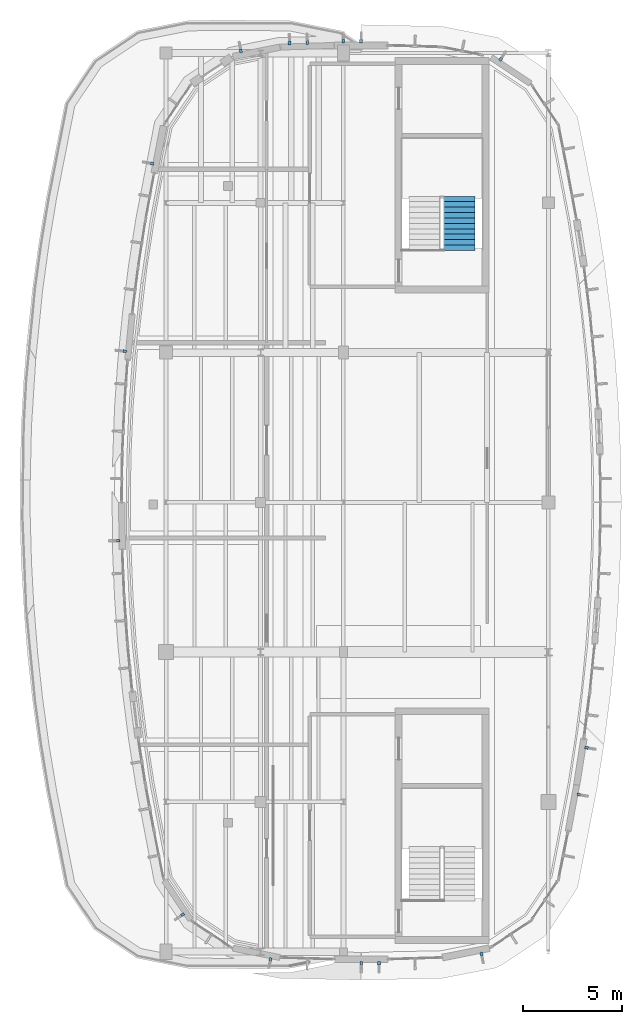
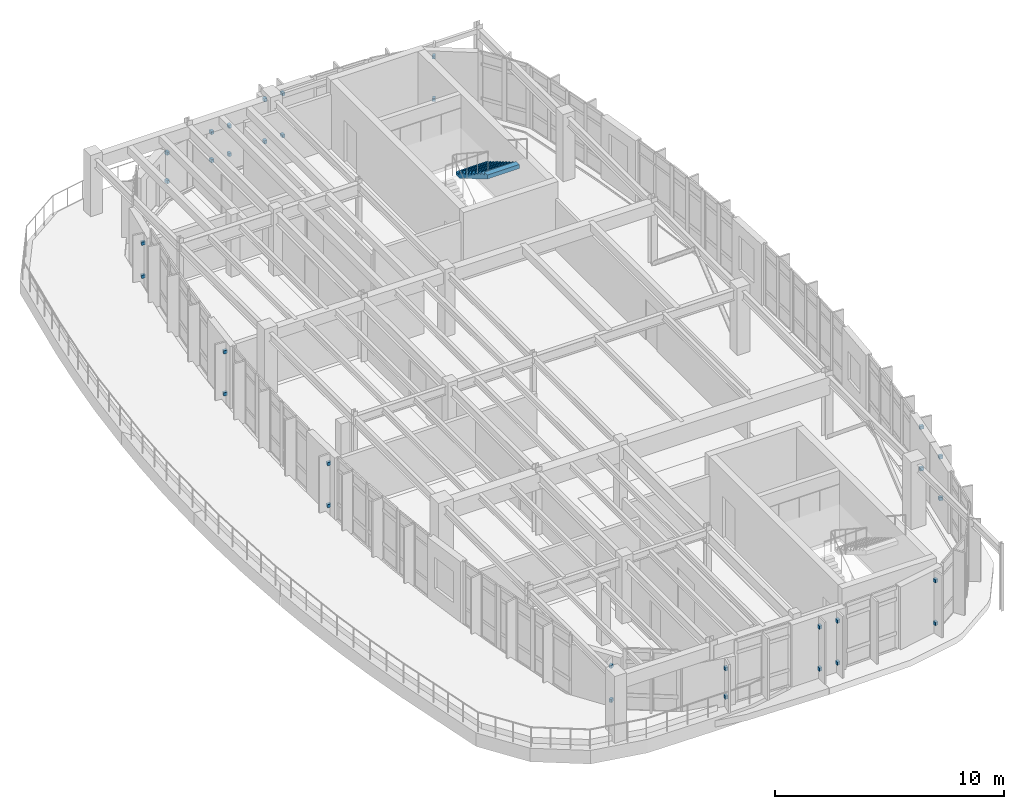
# One storey, part 17 of 20: 32 discrete accessories, 1 stair flight, 1 element without a shape of its own.
"""IFC4 building model written with IfcOpenShell, lengths in metres."""

from ifc_helpers import new_model, si_unit, direction, frame, origin, origin_2d, place, context, subcontext, project, spatial, polyline, rectangle, outline, extrude, material, layer, layer_set, type_object, element, aggregate, save


model = new_model("IFC4")

# Units and contexts
model_context = context("Model", 3, precision=1e-05, world=origin(), true_north=direction((0.0, 1.0)))
body_context = subcontext(model_context, "Body", "Model", "MODEL_VIEW")
ifc_project = project(units=[si_unit("LENGTHUNIT", "METRE"), si_unit("AREAUNIT", "SQUARE_METRE"), si_unit("VOLUMEUNIT", "CUBIC_METRE"), si_unit("PLANEANGLEUNIT", "RADIAN"), si_unit("MASSUNIT", "GRAM", prefix="KILO")], contexts=[model_context])

# Site, building, storey
site_placement = place(None, origin())
site = spatial("IfcSite", under=ifc_project, at=site_placement, CompositionType="ELEMENT")
building_placement = place(site_placement, origin())
building = spatial("IfcBuilding", under=site, at=building_placement, Name="Corveleigh Park Community Centre", CompositionType="ELEMENT")
storey_placement = place(building_placement, frame((0.0, 0.0, 16.199951171875)))
storey = spatial("IfcBuildingStorey", under=building, at=storey_placement, Name="L04", CompositionType="ELEMENT", Elevation=16.199951171875)

# Stair, stair flight
ifc_material_1 = material(Name="Concrete C32/40", Category="concrete")
stair_type = type_object("IfcStairType", Name="STR-HT-1600-360", PredefinedType="USERDEFINED", material=ifc_material_1)
stair_placement = place(storey_placement, origin())
stair = element("IfcStair", 1, at=stair_placement, inside=storey, type_object=stair_type, Name="Protected escape stair ST2 (L04 to L05)", ObjectType="TWO_RETURN_STAIR", PredefinedType="USERDEFINED")
ifc_layer = layer(ifc_material_1, 0.179931640625, Name="Concrete C32/40", Category="concrete")
ifc_layer_set = layer_set([ifc_layer], Name="Concrete C32/40")
stair_flight_type = type_object("IfcStairFlightType", Name="FLG-RC-1600", PredefinedType="STRAIGHT", material=ifc_layer_set)
stair_flight_placement = place(storey_placement, frame((163.8701171875, 96.929931640625, 1.800048828125), z_axis=(0.0, 0.0, 1.0), x_axis=(0.0, -1.0, 0.0)))
stair_flight = element("IfcStairFlight", 2, at=stair_flight_placement, type_object=stair_flight_type, Name="ST2 flight 2", NumberOfRisers=11, NumberOfTreads=10, PredefinedType="STRAIGHT", RiserHeight=0.16364, TreadLength=0.275, context=body_context, shape_type="SweptSolid", body=[
    extrude(outline(polyline([(0.0, 0.0), (0.0, 0.16357421875), (0.27490234375, 0.16357421875), (0.27490234375, 0.327392578125), (0.550048828125, 0.327392578125), (0.550048828125, 0.490966796875), (0.824951171875, 0.490966796875), (0.824951171875, 0.654541015625), (1.10009765625, 0.654541015625), (1.10009765625, 0.818115234375), (1.375, 0.818115234375), (1.375, 0.98193359375), (1.64990234375, 0.98193359375), (1.64990234375, 1.1455078125), (1.925048828125, 1.1455078125), (1.925048828125, 1.30908203125), (2.199951171875, 1.30908203125), (2.199951171875, 1.47265625), (2.47509765625, 1.47265625), (2.47509765625, 1.636474609375), (2.75, 1.636474609375), (2.75, 1.800048828125), (2.75, 1.427001953125), (0.351806640625, 0.0), (0.0, 0.0)])), frame((0.0, 0.800048828125, 0.0), z_axis=(0.0, -1.0, 0.0), x_axis=(1.0, 0.0, 0.0)), (0.0, 0.0, 1.0), 1.60009765625),
])
aggregate(stair, [stair_flight])

# Discrete accessories
ifc_material_2 = material(Name="Stainless steel 316 balustrade", Category="steel")
discrete_accessory_type = type_object("IfcDiscreteAccessoryType", Name="ACC-BRK-STL", PredefinedType="BRACKET", material=ifc_material_2)
for number, where, z_axis, x_axis, name in (
    (3, (159.80810546875, 58.00390625, 0.5), (0.0, 0.0, 1.0), (0.0, -1.0, 0.0), "Fin fixing bracket lower"),
    (4, (159.80810546875, 58.00390625, 2.737060546875), (0.0, 0.0, 1.0), (0.0, -1.0, 0.0), "Fin fixing bracket upper"),
    (5, (158.907958984375, 58.00390625, 0.5), (0.0, 0.0, 1.0), (0.0, -1.0, 0.0), "Fin fixing bracket lower"),
    (6, (158.907958984375, 58.00390625, 2.737060546875), (0.0, 0.0, 1.0), (0.0, -1.0, 0.0), "Fin fixing bracket upper"),
    (7, (165.0048828125, 58.48388671875, 0.5), (0.0, 0.0, 1.0), (0.195165868436, -0.980770250261, 0.0), "Fin fixing bracket lower"),
    (8, (165.0048828125, 58.48388671875, 2.77197265625), (0.0, 0.0, 1.0), (0.195165868436, -0.980770250261, 0.0), "Fin fixing bracket upper"),
    (9, (169.93994140625, 66.574951171875, 0.5), (0.0, 0.0, 1.0), (0.983301463744, -0.181984151504, 0.0), "Fin fixing bracket lower"),
    (10, (169.93994140625, 66.574951171875, 2.712158203125), (0.0, 0.0, 1.0), (0.983301463744, -0.181984151504, 0.0), "Fin fixing bracket upper"),
    (11, (170.3349609375, 68.948974609375, 0.5), (0.0, 0.0, 1.0), (0.987935898779, -0.154863358814, 0.0), "Fin fixing bracket lower"),
    (12, (170.3349609375, 68.948974609375, 2.712158203125), (0.0, 0.0, 1.0), (0.987935898779, -0.154863358814, 0.0), "Fin fixing bracket upper"),
    (13, (165.97998046875, 103.886962890625, 0.5), (0.0, 0.0, 1.0), (0.555761278746, 0.831341927877, 0.0), "Fin fixing bracket lower"),
    (14, (165.97998046875, 103.886962890625, 2.77197265625), (0.0, 0.0, 1.0), (0.555761278746, 0.831341927877, 0.0), "Fin fixing bracket upper"),
    (15, (157.991943359375, 104.7958984375, 0.5), (0.0, 0.0, 1.0), (0.0, 1.0, 0.0), "Fin fixing bracket lower"),
    (16, (157.991943359375, 104.7958984375, 2.737060546875), (0.0, 0.0, 1.0), (0.0, 1.0, 0.0), "Fin fixing bracket upper"),
    (17, (158.89208984375, 104.7958984375, 0.5), (0.0, 0.0, 1.0), (0.0, 1.0, 0.0), "Fin fixing bracket lower"),
    (18, (158.89208984375, 104.7958984375, 2.737060546875), (0.0, 0.0, 1.0), (0.0, 1.0, 0.0), "Fin fixing bracket upper"),
    (19, (155.26708984375, 104.705078125, 0.5), (0.0, 0.0, 1.0), (-0.031454254481, 0.99950519252, 0.0), "Fin fixing bracket lower"),
    (20, (155.26708984375, 104.705078125, 2.005126953125), (0.0, 0.0, 1.0), (-0.031454254481, 0.99950519252, 0.0), "Fin fixing bracket upper"),
    (21, (156.1669921875, 104.73291015625, 0.5), (0.0, 0.0, 1.0), (-0.031454254481, 0.99950519252, 0.0), "Fin fixing bracket lower"),
    (22, (156.1669921875, 104.73291015625, 2.005126953125), (0.0, 0.0, 1.0), (-0.031454254481, 0.99950519252, 0.0), "Fin fixing bracket upper"),
    (23, (152.797119140625, 104.305908203125, 0.5), (0.0, 0.0, 1.0), (-0.195165868436, 0.980770250261, 0.0), "Fin fixing bracket lower"),
    (24, (152.797119140625, 104.305908203125, 2.005126953125), (0.0, 0.0, 1.0), (-0.195165868436, 0.980770250261, 0.0), "Fin fixing bracket upper"),
    (25, (148.282958984375, 98.589111328125, 0.5), (0.0, 0.0, 1.0), (-0.980784643134, 0.195093525756, 0.0), "Fin fixing bracket lower"),
    (26, (148.282958984375, 98.589111328125, 2.26220703125), (0.0, 0.0, 1.0), (-0.980784643134, 0.195093525756, 0.0), "Fin fixing bracket upper"),
    (27, (146.907958984375, 89.070068359375, 0.5), (0.0, 0.0, 1.0), (-0.995169228615, 0.098174367416, 0.0), "Fin fixing bracket lower"),
    (28, (146.907958984375, 89.070068359375, 2.737060546875), (0.0, 0.0, 1.0), (-0.995169228615, 0.098174367416, 0.0), "Fin fixing bracket upper"),
    (29, (146.574951171875, 79.455078125, 0.5), (0.0, 0.0, 1.0), (-0.999898231481, -0.01426627775, 0.0), "Fin fixing bracket lower"),
    (30, (146.574951171875, 79.455078125, 2.737060546875), (0.0, 0.0, 1.0), (-0.999898231481, -0.01426627775, 0.0), "Fin fixing bracket upper"),
    (31, (149.842041015625, 60.48095703125, 0.5), (0.0, 0.0, 1.0), (-0.83141083453, -0.555658190101, 0.0), "Fin fixing bracket lower"),
    (32, (149.842041015625, 60.48095703125, 2.316162109375), (0.0, 0.0, 1.0), (-0.83141083453, -0.555658190101, 0.0), "Fin fixing bracket upper"),
    (33, (154.299072265625, 58.205078125, 0.5), (0.0, 0.0, 1.0), (-0.195165868436, -0.980770250261, 0.0), "Fin fixing bracket lower"),
    (34, (154.299072265625, 58.205078125, 2.005126953125), (0.0, 0.0, 1.0), (-0.195165868436, -0.980770250261, 0.0), "Fin fixing bracket upper"),
):
    element("IfcDiscreteAccessory", number, at=place(storey_placement, frame(where, z_axis=z_axis, x_axis=x_axis)), inside=storey, type_object=discrete_accessory_type, Name=name, PredefinedType="BRACKET", context=body_context, shape_type="SweptSolid", body=[
        extrude(rectangle(XDim=0.179931640625, YDim=0.139892578125, at=origin_2d()), origin(), (0.0, 0.0, 1.0), 0.169921875),
    ])

save(model, "model.ifc")
